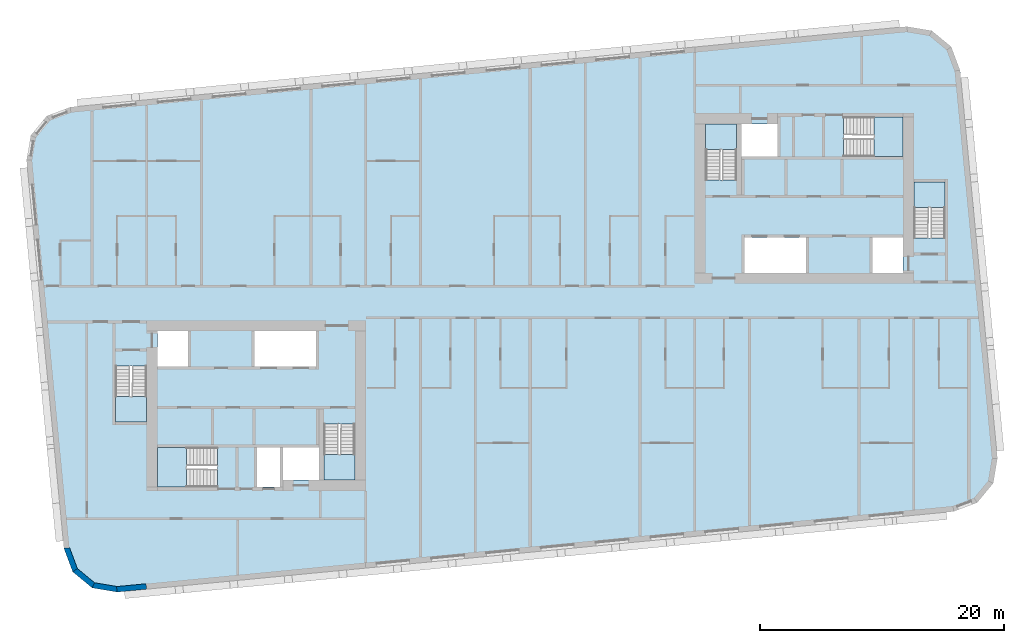
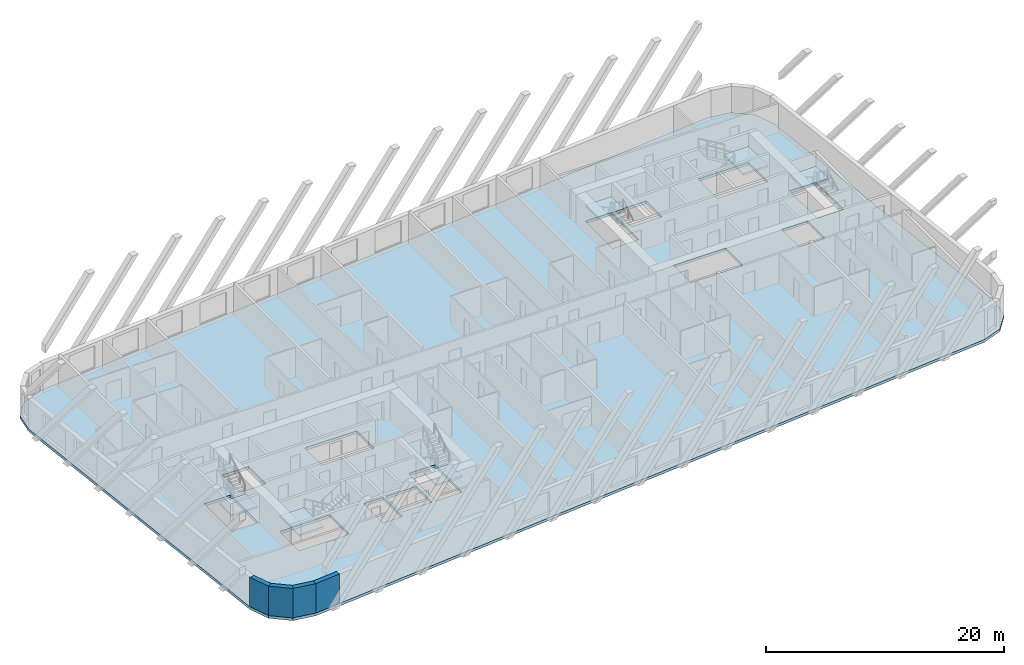
# One storey, part 1 of 13: 7 slabs, 4 walls, 6 elements without a shape of their own.
"""IFC4 building model written with IfcOpenShell, lengths in metres."""

from ifc_helpers import new_model, si_unit, direction, frame, frame_2d, origin, place, context, subcontext, project, spatial, polyline, rectangle, outline, extrude, material, layer, layer_set, type_object, element, aggregate, save


model = new_model("IFC4")

# Units and contexts
model_context = context("Model", 3, precision=1e-05, world=origin(), true_north=direction((0.0, 1.0)))
body_context = subcontext(model_context, "Body", "Model", "MODEL_VIEW")
ifc_project = project(units=[si_unit("LENGTHUNIT", "METRE"), si_unit("AREAUNIT", "SQUARE_METRE"), si_unit("VOLUMEUNIT", "CUBIC_METRE"), si_unit("PLANEANGLEUNIT", "RADIAN"), si_unit("MASSUNIT", "GRAM", prefix="KILO")], contexts=[model_context])

# Site, building, storey
site_placement = place(None, origin())
site = spatial("IfcSite", under=ifc_project, at=site_placement, CompositionType="ELEMENT")
building_placement = place(site_placement, origin())
building = spatial("IfcBuilding", under=site, at=building_placement, Name="Kajstack Hotel Tower", CompositionType="ELEMENT")
storey_placement = place(building_placement, frame((0.0, 0.0, 298.199951171875)))
storey = spatial("IfcBuildingStorey", under=building, at=storey_placement, Name="L75", CompositionType="ELEMENT", Elevation=298.199951171875)

# Slab
ifc_material_1 = material(Name="Concrete C40/50", Category="concrete")
ifc_layer_1 = layer(ifc_material_1, 0.280029296875)
ifc_layer_set_1 = layer_set([ifc_layer_1], Name="RC slab 280 C40/50 guest")
slab_type_1 = type_object("IfcSlabType", Name="RC slab 280 C40/50 guest", PredefinedType="FLOOR", material=ifc_layer_set_1)
slab_1_placement = place(storey_placement, frame((0.0, 0.0, -0.280029296875)))
element("IfcSlab", 1, at=slab_1_placement, inside=storey, type_object=slab_type_1, Name="S-slab-L75", PredefinedType="FLOOR", context=body_context, shape_type="SweptSolid", body=[
    extrude(outline(polyline([(-41.356201171875, 11.63623046875), (-38.289306640625, -20.21630859375), (-37.564208984375, -22.15576171875), (-35.96630859375, -23.472900390625), (-33.92431640625, -23.814697265625), (34.758056640625, -17.201171875), (36.697509765625, -16.47607421875), (38.014404296875, -14.87841796875), (38.356201171875, -12.836181640625), (35.289306640625, 19.016357421875), (34.564208984375, 20.955810546875), (32.96630859375, 22.27294921875), (30.92431640625, 22.614501953125), (-37.758056640625, 16.001220703125), (-39.697509765625, 15.276123046875), (-41.014404296875, 13.678466796875), (-41.356201171875, 11.63623046875)]), holes=[polyline([(-22.64990234375, -5.300048828125), (-22.64990234375, -2.39990234375), (-17.60009765625, -2.39990234375), (-17.60009765625, -5.300048828125), (-22.64990234375, -5.300048828125)]), polyline([(-20.300048828125, -14.60009765625), (-17.35009765625, -14.60009765625), (-17.35009765625, -11.949951171875), (-20.300048828125, -11.949951171875), (-20.300048828125, -14.60009765625)]), polyline([(-30.60009765625, -5.300048828125), (-28.10009765625, -5.300048828125), (-28.10009765625, -2.39990234375), (-30.60009765625, -2.39990234375), (-30.60009765625, -5.300048828125)]), polyline([(17.60009765625, 2.39990234375), (17.60009765625, 5.300048828125), (22.64990234375, 5.300048828125), (22.64990234375, 2.39990234375), (17.60009765625, 2.39990234375)]), polyline([(20.300048828125, 14.60009765625), (17.35009765625, 14.60009765625), (17.35009765625, 11.949951171875), (20.300048828125, 11.949951171875), (20.300048828125, 14.60009765625)]), polyline([(30.60009765625, 5.300048828125), (28.10009765625, 5.300048828125), (28.10009765625, 2.39990234375), (30.60009765625, 2.39990234375), (30.60009765625, 5.300048828125)]), polyline([(-34.050048828125, -9.85009765625), (-31.5, -9.85009765625), (-31.5, -5.25), (-34.050048828125, -5.25), (-34.050048828125, -9.85009765625)]), polyline([(-16.949951171875, -14.60009765625), (-14.39990234375, -14.60009765625), (-14.39990234375, -10.0), (-16.949951171875, -10.0), (-16.949951171875, -14.60009765625)]), polyline([(-30.60009765625, -15.199951171875), (-25.699951171875, -15.199951171875), (-25.699951171875, -11.949951171875), (-30.60009765625, -11.949951171875), (-30.60009765625, -15.199951171875)]), polyline([(34.050048828125, 9.85009765625), (31.5, 9.85009765625), (31.5, 5.25), (34.050048828125, 5.25), (34.050048828125, 9.85009765625)]), polyline([(16.949951171875, 14.60009765625), (14.39990234375, 14.60009765625), (14.39990234375, 10.0), (16.949951171875, 10.0), (16.949951171875, 14.60009765625)]), polyline([(30.60009765625, 15.199951171875), (25.699951171875, 15.199951171875), (25.699951171875, 11.949951171875), (30.60009765625, 11.949951171875), (30.60009765625, 15.199951171875)]), polyline([(-22.425048828125, -15.199951171875), (-22.425048828125, -11.949951171875), (-20.550048828125, -11.949951171875), (-20.550048828125, -15.199951171875), (-22.425048828125, -15.199951171875)])]), origin(), (0.0, 0.0, 1.0), 0.280029296875),
])

# Stair, slab
stair_type_1 = type_object("IfcStairType", Name="Exit stair 1200", PredefinedType="HALF_TURN_STAIR", material=ifc_material_1)
stair_1_placement = place(storey_placement, origin())
stair_1 = element("IfcStair", 2, at=stair_1_placement, inside=storey, type_object=stair_type_1, Name="L75 stair W1", PredefinedType="HALF_TURN_STAIR")
ifc_layer_2 = layer(ifc_material_1, 0.199951171875)
ifc_layer_set_2 = layer_set([ifc_layer_2], Name="Stair landing 200")
slab_type_2 = type_object("IfcSlabType", Name="Stair landing 200", PredefinedType="LANDING", material=ifc_layer_set_2)
slab_2_placement = place(storey_placement, frame((0.0, 0.0, 1.449951171875)))
slab_2 = element("IfcSlab", 3, at=slab_2_placement, type_object=slab_type_2, Name="W1 landing 1", PredefinedType="LANDING", context=body_context, shape_type="SweptSolid", body=[
    extrude(outline(polyline([(-34.050048828125, -7.77001953125), (-34.050048828125, -9.85009765625), (-31.5, -9.85009765625), (-31.5, -7.77001953125), (-34.050048828125, -7.77001953125)])), origin(), (0.0, 0.0, 1.0), 0.2001953125),
])
aggregate(stair_1, [slab_2])

stair_2_placement = place(storey_placement, origin())
stair_2 = element("IfcStair", 4, at=stair_2_placement, inside=storey, type_object=stair_type_1, Name="L75 stair W2", PredefinedType="HALF_TURN_STAIR")
slab_3_placement = place(storey_placement, frame((0.0, 0.0, 1.449951171875)))
slab_3 = element("IfcSlab", 5, at=slab_3_placement, type_object=slab_type_2, Name="W2 landing 1", PredefinedType="LANDING", context=body_context, shape_type="SweptSolid", body=[
    extrude(outline(polyline([(-16.949951171875, -12.52001953125), (-16.949951171875, -14.60009765625), (-14.39990234375, -14.60009765625), (-14.39990234375, -12.52001953125), (-16.949951171875, -12.52001953125)])), origin(), (0.0, 0.0, 1.0), 0.2001953125),
])
aggregate(stair_2, [slab_3])

stair_type_2 = type_object("IfcStairType", Name="Exit stair 1500", PredefinedType="HALF_TURN_STAIR", material=ifc_material_1)
stair_3_placement = place(storey_placement, origin())
stair_3 = element("IfcStair", 6, at=stair_3_placement, inside=storey, type_object=stair_type_2, Name="L75 stair W3", PredefinedType="HALF_TURN_STAIR")
slab_4_placement = place(storey_placement, frame((0.0, 0.0, 1.449951171875)))
slab_4 = element("IfcSlab", 7, at=slab_4_placement, type_object=slab_type_2, Name="W3 landing 1", PredefinedType="LANDING", context=body_context, shape_type="SweptSolid", body=[
    extrude(outline(polyline([(-28.219970703125, -11.949951171875), (-30.60009765625, -11.949951171875), (-30.60009765625, -15.199951171875), (-28.219970703125, -15.199951171875), (-28.219970703125, -11.949951171875)])), origin(), (0.0, 0.0, 1.0), 0.2001953125),
])
aggregate(stair_3, [slab_4])

stair_4_placement = place(storey_placement, origin())
stair_4 = element("IfcStair", 8, at=stair_4_placement, inside=storey, type_object=stair_type_1, Name="L75 stair E1", PredefinedType="HALF_TURN_STAIR")
slab_5_placement = place(storey_placement, frame((0.0, 0.0, 1.449951171875)))
slab_5 = element("IfcSlab", 9, at=slab_5_placement, type_object=slab_type_2, Name="E1 landing 1", PredefinedType="LANDING", context=body_context, shape_type="SweptSolid", body=[
    extrude(outline(polyline([(34.050048828125, 7.77001953125), (34.050048828125, 9.85009765625), (31.5, 9.85009765625), (31.5, 7.77001953125), (34.050048828125, 7.77001953125)])), origin(), (0.0, 0.0, 1.0), 0.2001953125),
])
aggregate(stair_4, [slab_5])

stair_5_placement = place(storey_placement, origin())
stair_5 = element("IfcStair", 10, at=stair_5_placement, inside=storey, type_object=stair_type_1, Name="L75 stair E2", PredefinedType="HALF_TURN_STAIR")
slab_6_placement = place(storey_placement, frame((0.0, 0.0, 1.449951171875)))
slab_6 = element("IfcSlab", 11, at=slab_6_placement, type_object=slab_type_2, Name="E2 landing 1", PredefinedType="LANDING", context=body_context, shape_type="SweptSolid", body=[
    extrude(outline(polyline([(16.949951171875, 12.52001953125), (16.949951171875, 14.60009765625), (14.39990234375, 14.60009765625), (14.39990234375, 12.52001953125), (16.949951171875, 12.52001953125)])), origin(), (0.0, 0.0, 1.0), 0.2001953125),
])
aggregate(stair_5, [slab_6])

stair_6_placement = place(storey_placement, origin())
stair_6 = element("IfcStair", 12, at=stair_6_placement, inside=storey, type_object=stair_type_2, Name="L75 stair E3", PredefinedType="HALF_TURN_STAIR")
slab_7_placement = place(storey_placement, frame((0.0, 0.0, 1.449951171875)))
slab_7 = element("IfcSlab", 13, at=slab_7_placement, type_object=slab_type_2, Name="E3 landing 1", PredefinedType="LANDING", context=body_context, shape_type="SweptSolid", body=[
    extrude(outline(polyline([(28.219970703125, 11.949951171875), (30.60009765625, 11.949951171875), (30.60009765625, 15.199951171875), (28.219970703125, 15.199951171875), (28.219970703125, 11.949951171875)])), origin(), (0.0, 0.0, 1.0), 0.2001953125),
])
aggregate(stair_6, [slab_7])

# Walls
ifc_material_2 = material(Name="Terracotta-faced brick masonry", Category="masonry")
ifc_layer_3 = layer(ifc_material_2, 0.449951171875)
ifc_layer_set_3 = layer_set([ifc_layer_3], Name="EW-TERRA")
wall_type = type_object("IfcWallType", Name="EW-TERRA", PredefinedType="SOLIDWALL", material=ifc_layer_set_3)
wall_1_placement = place(storey_placement, frame((-38.078369140625, -20.1376953125, 0.0), z_axis=(0.0, 0.0, 1.0), x_axis=(0.350231589928, -0.936663137642, 0.0)))
element("IfcWall", 14, at=wall_1_placement, inside=storey, type_object=wall_type, Name="E-wall-L75-01-00", PredefinedType="SOLIDWALL", context=body_context, shape_type="SweptSolid", body=[
    extrude(outline(polyline([(0.0, -0.22509765625), (2.0703125, -0.22509765625), (1.949951171875, 0.224853515625), (0.120361328125, 0.224853515625), (0.0, -0.22509765625)])), origin(), (0.0, 0.0, 1.0), 3.02001953125),
])
wall_2_placement = place(storey_placement, frame((-37.4208984375, -21.982177734375, 0.0), z_axis=(0.0, 0.0, 1.0), x_axis=(0.771593176315, -0.636116318187, 0.0)))
element("IfcWall", 15, at=wall_2_placement, inside=storey, type_object=wall_type, Name="E-wall-L75-02-00", PredefinedType="SOLIDWALL", context=body_context, shape_type="SweptSolid", body=[
    extrude(outline(polyline([(0.0, -0.22509765625), (2.070556640625, -0.22509765625), (1.949951171875, 0.22509765625), (0.12060546875, 0.224853515625), (0.0, -0.22509765625)])), origin(), (0.0, 0.0, 1.0), 3.02001953125),
])
wall_3_placement = place(storey_placement, frame((-35.92919921875, -23.2509765625, 0.0), z_axis=(0.0, 0.0, 1.0), x_axis=(0.986278951104, -0.165087342366, 0.0)))
element("IfcWall", 16, at=wall_3_placement, inside=storey, type_object=wall_type, Name="E-wall-L75-03-00", PredefinedType="SOLIDWALL", context=body_context, shape_type="SweptSolid", body=[
    extrude(outline(polyline([(0.0, -0.22509765625), (2.070556640625, -0.224853515625), (1.949951171875, 0.22509765625), (0.12060546875, 0.22509765625), (0.0, -0.22509765625)])), origin(), (0.0, 0.0, 1.0), 3.02001953125),
])
wall_4_placement = place(storey_placement, frame((-33.94580078125, -23.590576171875, 0.0), z_axis=(0.0, 0.0, 1.0), x_axis=(0.995397635156, 0.095830829729, 0.0)))
element("IfcWall", 17, at=wall_4_placement, inside=storey, type_object=wall_type, Name="E-wall-L75-04-00", PredefinedType="SOLIDWALL", context=body_context, shape_type="SweptSolid", body=[
    extrude(rectangle(XDim=2.435546875, YDim=0.449951171875, at=frame_2d((1.2177734375, 0.0))), origin(), (0.0, 0.0, 1.0), 3.02001953125),
])

save(model, "model.ifc")
